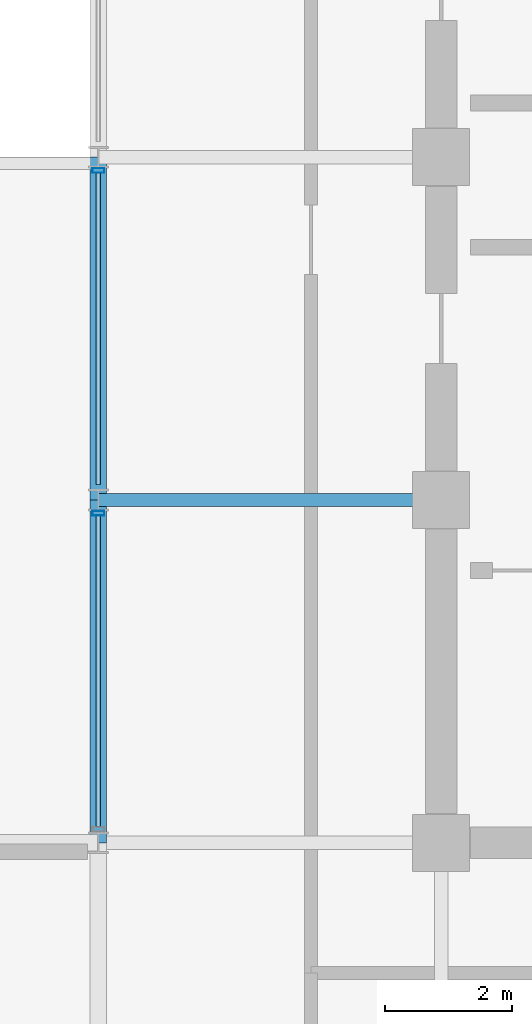
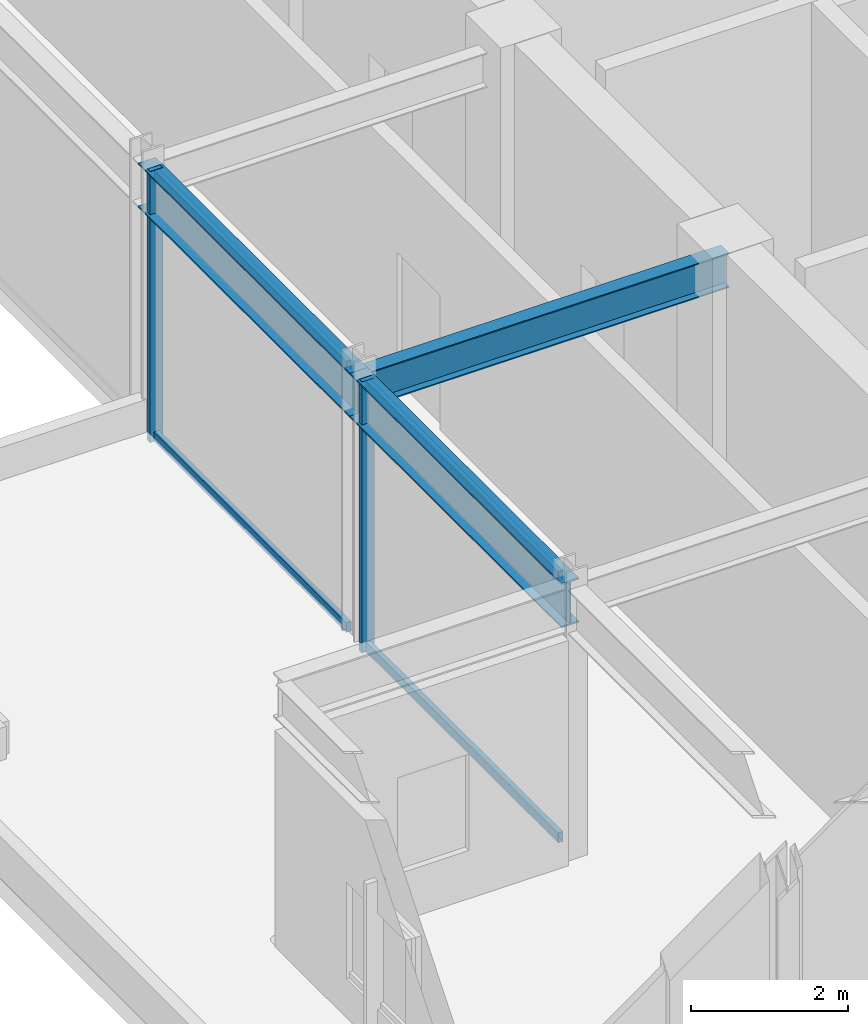
# One storey, part 3 of 18: 6 members, 3 beams, 1 element without a shape of its own.
"""IFC4 building model written with IfcOpenShell, lengths in metres."""

from ifc_helpers import new_model, si_unit, direction, frame, origin, origin_2d, place, context, subcontext, project, spatial, hollow_rectangle, i_section, extrude, material, layer, layer_set, material_profile, profile_set, type_object, element, aggregate, save


model = new_model("IFC4")

# Units and contexts
model_context = context("Model", 3, precision=1e-05, world=origin(), true_north=direction((0.0, 1.0)))
body_context = subcontext(model_context, "Body", "Model", "MODEL_VIEW")
ifc_project = project(units=[si_unit("LENGTHUNIT", "METRE"), si_unit("AREAUNIT", "SQUARE_METRE"), si_unit("VOLUMEUNIT", "CUBIC_METRE"), si_unit("PLANEANGLEUNIT", "RADIAN"), si_unit("MASSUNIT", "GRAM", prefix="KILO")], contexts=[model_context])

# Site, building, storey
site_placement = place(None, origin())
site = spatial("IfcSite", under=ifc_project, at=site_placement, CompositionType="ELEMENT")
building_placement = place(site_placement, origin())
building = spatial("IfcBuilding", under=site, at=building_placement, Name="Surkhivell Harbour Commons", CompositionType="ELEMENT")
storey_placement = place(building_placement, frame((0.0, 0.0, 351.0)))
storey = spatial("IfcBuildingStorey", under=building, at=storey_placement, Name="L91", CompositionType="ELEMENT", Elevation=351.0)

# Beams
ifc_material_1 = material(Name="Steel S355", Category="steel")
ifc_material_profile_1 = material_profile(ifc_material_1, i_section(OverallWidth=0.2099609375, OverallDepth=0.537109375, WebThickness=0.0107421875, FlangeThickness=0.017333984375, at=origin_2d()), Name="UB533x210x101")
ifc_profile_set_1 = profile_set([ifc_material_profile_1], Name="Steel S355")
beam_type_1 = type_object("IfcBeamType", Name="BM-GRD-533B", PredefinedType="BEAM", material=ifc_profile_set_1)
beam_1_placement = place(storey_placement, frame((-16.199951171875, -5.39990234375, 3.951416015625), z_axis=(1.0, 0.0, 0.0), x_axis=(0.0, 1.0, 0.0)))
element("IfcBeam", 1, at=beam_1_placement, inside=storey, type_object=beam_type_1, Name="L91 Floor Girder (-16.2,-5.4)", PredefinedType="BEAM", context=body_context, shape_type="SweptSolid", body=[
    extrude(i_section(OverallWidth=0.2099609375, OverallDepth=0.537109375, WebThickness=0.0107421875, FlangeThickness=0.017333984375, at=origin_2d()), origin(), (0.0, 0.0, 1.0), 5.39990234375),
])
ifc_material_profile_2 = material_profile(ifc_material_1, i_section(OverallWidth=0.256103515625, OverallDepth=0.693115234375, WebThickness=0.014404296875, FlangeThickness=0.023681640625, at=origin_2d()), Name="UB686x254x170")
ifc_profile_set_2 = profile_set([ifc_material_profile_2], Name="Steel S355")
beam_type_2 = type_object("IfcBeamType", Name="BM-SPN-686", PredefinedType="SPANDREL", material=ifc_profile_set_2)
beam_2_placement = place(storey_placement, frame((-16.199951171875, -10.800048828125, 3.87353515625), z_axis=(0.0, 1.0, 0.0), x_axis=(-1.0, 0.0, 0.0)))
element("IfcBeam", 2, at=beam_2_placement, inside=storey, type_object=beam_type_2, Name="L91 Tube Spandrel (-16.2,-10.8)", PredefinedType="SPANDREL", context=body_context, shape_type="SweptSolid", body=[
    extrude(i_section(OverallWidth=0.256103515625, OverallDepth=0.693115234375, WebThickness=0.014404296875, FlangeThickness=0.023681640625, at=origin_2d()), origin(), (0.0, 0.0, 1.0), 5.400146484375),
])
beam_3_placement = place(storey_placement, frame((-16.199951171875, -5.39990234375, 3.87353515625), z_axis=(0.0, 1.0, 0.0), x_axis=(-1.0, 0.0, 0.0)))
element("IfcBeam", 3, at=beam_3_placement, inside=storey, type_object=beam_type_2, Name="L91 Tube Spandrel (-16.2,-5.4)", PredefinedType="SPANDREL", context=body_context, shape_type="SweptSolid", body=[
    extrude(i_section(OverallWidth=0.256103515625, OverallDepth=0.693115234375, WebThickness=0.014404296875, FlangeThickness=0.023681640625, at=origin_2d()), origin(), (0.0, 0.0, 1.0), 5.39990234375),
])

# Curtain wall, members
ifc_material_2 = material(Name="Anodised pale-metal aluminium and insulated glazing", Category="aluminium")
ifc_layer = layer(ifc_material_2, 0.22998046875)
ifc_layer_set = layer_set([ifc_layer], Name="Anodised pale-metal aluminium and insulated glazing")
curtain_wall_type = type_object("IfcCurtainWallType", Name="CW-SYS-CRN", PredefinedType="NOTDEFINED", material=ifc_layer_set)
curtain_wall_placement = place(storey_placement, origin())
curtain_wall = element("IfcCurtainWall", 4, at=curtain_wall_placement, inside=storey, type_object=curtain_wall_type, Name="L91 Curtain Wall CW-L91-C04S1", PredefinedType="NOTDEFINED")
ifc_material_3 = material(Name="Anodised pale-metal aluminium alloy 6063-T6", Category="aluminium")
ifc_material_profile_3 = material_profile(ifc_material_3, hollow_rectangle(XDim=0.074951171875, YDim=0.18994140625, WallThickness=0.00390625, at=origin_2d()), Name="ALU-MULL-75x190")
ifc_profile_set_3 = profile_set([ifc_material_profile_3], Name="Anodised pale-metal aluminium alloy 6063-T6")
member_type_1 = type_object("IfcMemberType", Name="CWM-190", PredefinedType="MULLION", material=ifc_profile_set_3)
member_1_placement = place(storey_placement, frame((-16.199951171875, -0.20947265625, 0.0), z_axis=(0.0, 0.0, 1.0), x_axis=(0.0, -1.0, 0.0)))
member_1 = element("IfcMember", 5, at=member_1_placement, type_object=member_type_1, Name="CW-CRN mullion 4", PredefinedType="MULLION", context=body_context, shape_type="SweptSolid", body=[
    extrude(hollow_rectangle(XDim=0.074951171875, YDim=0.18994140625, WallThickness=0.00390625, at=origin_2d()), origin(), (0.0, 0.0, 1.0), 4.219970703125),
])
member_2_placement = place(storey_placement, frame((-16.199951171875, -5.609619140625, 0.0), z_axis=(0.0, 0.0, 1.0), x_axis=(0.0, -1.0, 0.0)))
member_2 = element("IfcMember", 6, at=member_2_placement, type_object=member_type_1, Name="CW-CRN mullion 5", PredefinedType="MULLION", context=body_context, shape_type="SweptSolid", body=[
    extrude(hollow_rectangle(XDim=0.074951171875, YDim=0.18994140625, WallThickness=0.00390625, at=origin_2d()), origin(), (0.0, 0.0, 1.0), 4.219970703125),
])
ifc_material_profile_4 = material_profile(ifc_material_3, hollow_rectangle(XDim=0.074951171875, YDim=0.14990234375, WallThickness=0.00341796875, at=origin_2d()), Name="ALU-TRAN-75x150")
ifc_profile_set_4 = profile_set([ifc_material_profile_4], Name="Anodised pale-metal aluminium alloy 6063-T6")
member_type_2 = type_object("IfcMemberType", Name="CWT-150", PredefinedType="USERDEFINED", material=ifc_profile_set_4)
member_3_placement = place(storey_placement, frame((-16.199951171875, -0.2470703125, 0.074951171875), z_axis=(0.0, -1.0, 0.0), x_axis=(1.0, 0.0, 0.0)))
member_3 = element("IfcMember", 7, at=member_3_placement, type_object=member_type_2, Name="CW-CRN transom 4.1", ObjectType="TRANSOM", PredefinedType="USERDEFINED", context=body_context, shape_type="SweptSolid", body=[
    extrude(hollow_rectangle(XDim=0.074951171875, YDim=0.14990234375, WallThickness=0.00341796875, at=origin_2d()), origin(), (0.0, 0.0, 1.0), 4.906005859375),
])
member_4_placement = place(storey_placement, frame((-16.199951171875, -0.2470703125, 4.14501953125), z_axis=(0.0, -1.0, 0.0), x_axis=(1.0, 0.0, 0.0)))
member_4 = element("IfcMember", 8, at=member_4_placement, type_object=member_type_2, Name="CW-CRN transom 4.2", ObjectType="TRANSOM", PredefinedType="USERDEFINED", context=body_context, shape_type="SweptSolid", body=[
    extrude(hollow_rectangle(XDim=0.074951171875, YDim=0.14990234375, WallThickness=0.00341796875, at=origin_2d()), origin(), (0.0, 0.0, 1.0), 4.906005859375),
])
member_5_placement = place(storey_placement, frame((-16.199951171875, -5.64697265625, 0.074951171875), z_axis=(0.0, -1.0, 0.0), x_axis=(1.0, 0.0, 0.0)))
member_5 = element("IfcMember", 9, at=member_5_placement, type_object=member_type_2, Name="CW-CRN transom 5.1", ObjectType="TRANSOM", PredefinedType="USERDEFINED", context=body_context, shape_type="SweptSolid", body=[
    extrude(hollow_rectangle(XDim=0.074951171875, YDim=0.14990234375, WallThickness=0.00341796875, at=origin_2d()), origin(), (0.0, 0.0, 1.0), 4.906005859375),
])
member_6_placement = place(storey_placement, frame((-16.199951171875, -5.64697265625, 4.14501953125), z_axis=(0.0, -1.0, 0.0), x_axis=(1.0, 0.0, 0.0)))
member_6 = element("IfcMember", 10, at=member_6_placement, type_object=member_type_2, Name="CW-CRN transom 5.2", ObjectType="TRANSOM", PredefinedType="USERDEFINED", context=body_context, shape_type="SweptSolid", body=[
    extrude(hollow_rectangle(XDim=0.074951171875, YDim=0.14990234375, WallThickness=0.00341796875, at=origin_2d()), origin(), (0.0, 0.0, 1.0), 4.906005859375),
])
aggregate(curtain_wall, [member_1, member_3, member_4, member_2, member_5, member_6])

save(model, "model.ifc")
